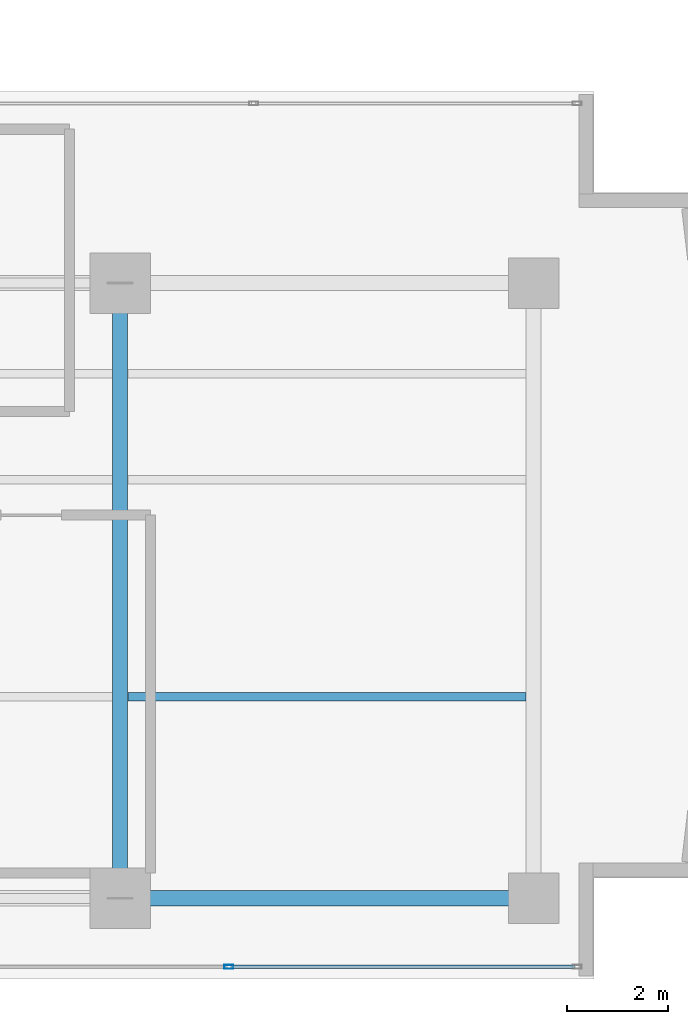
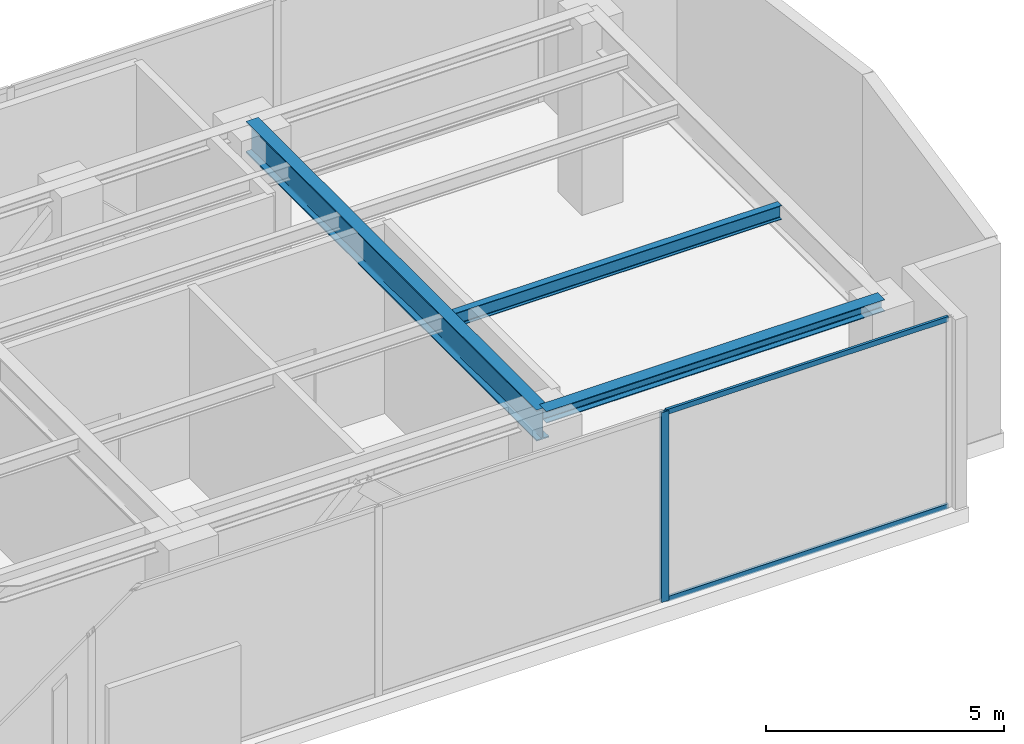
# One storey, part 17 of 36: 3 beams, 3 members, 1 element without a shape of its own.
"""IFC4 building model written with IfcOpenShell, lengths in metres."""

from ifc_helpers import new_model, si_unit, direction, frame, origin, origin_with_axes, origin_2d, place, context, subcontext, project, spatial, hollow_rectangle, i_section, extrude, source, transform, mapped, material, layer, layer_set, material_profile, profile_set, type_object, element, aggregate, save


model = new_model("IFC4")

# Units and contexts
model_context = context("Model", 3, precision=1e-05, world=origin(), true_north=direction((0.0, 1.0)))
body_context = subcontext(model_context, "Body", "Model", "MODEL_VIEW")
ifc_project = project(units=[si_unit("LENGTHUNIT", "METRE"), si_unit("AREAUNIT", "SQUARE_METRE"), si_unit("VOLUMEUNIT", "CUBIC_METRE"), si_unit("PLANEANGLEUNIT", "RADIAN"), si_unit("MASSUNIT", "GRAM", prefix="KILO")], contexts=[model_context])

# Site, building, storey
site_placement = place(None, origin())
site = spatial("IfcSite", under=ifc_project, at=site_placement, CompositionType="ELEMENT")
building_placement = place(site_placement, origin())
building = spatial("IfcBuilding", under=site, at=building_placement, Name="Kolvaren Waterfront Exchange", CompositionType="ELEMENT")
storey_placement = place(building_placement, frame((0.0, 0.0, 199.39990234375)))
storey = spatial("IfcBuildingStorey", under=building, at=storey_placement, Name="L51", CompositionType="ELEMENT", Elevation=199.39990234375)

# Beams
ifc_material_1 = material(Name="Steel S355", Category="steel")
ifc_material_profile_1 = material_profile(ifc_material_1, i_section(OverallWidth=0.300048828125, OverallDepth=0.300048828125, WebThickness=0.010986328125, FlangeThickness=0.01904296875, FilletRadius=0.027099609375, at=origin_2d()), Name="HEB300")
ifc_profile_set_1 = profile_set([ifc_material_profile_1], Name="Steel S355")
beam_type_1 = type_object("IfcBeamType", Name="STR-BM-HEB300", PredefinedType="SPANDREL", material=ifc_profile_set_1)
beam_1_placement = place(storey_placement, frame((45.60009765625, 5.199951171875, 4.710205078125), z_axis=(1.0, 0.0, 0.0), x_axis=(0.0, 1.0, 0.0)))
element("IfcBeam", 1, at=beam_1_placement, inside=storey, type_object=beam_type_1, Name="L51 east-arm spandrel S4", PredefinedType="SPANDREL", context=body_context, shape_type="SweptSolid", body=[
    extrude(i_section(OverallWidth=0.300048828125, OverallDepth=0.300048828125, WebThickness=0.010986328125, FlangeThickness=0.01904296875, FilletRadius=0.027099609375, at=origin_2d()), origin(), (0.0, 0.0, 1.0), 8.199951171875),
])
ifc_material_profile_2 = material_profile(ifc_material_1, i_section(OverallWidth=0.300048828125, OverallDepth=0.800048828125, WebThickness=0.017578125, FlangeThickness=0.032958984375, FilletRadius=0.030029296875, at=origin_2d()), Name="HEB800")
ifc_profile_set_2 = profile_set([ifc_material_profile_2], Name="Steel S355")
beam_type_2 = type_object("IfcBeamType", Name="STR-BM-HEB800", PredefinedType="BEAM", material=ifc_profile_set_2)
beam_2_placement = place(storey_placement, frame((45.60009765625, 5.199951171875, 4.460205078125), z_axis=(0.0, 1.0, 0.0), x_axis=(-1.0, 0.0, 0.0)))
element("IfcBeam", 2, at=beam_2_placement, inside=storey, type_object=beam_type_2, Name="L51 east-arm transverse girder X45", PredefinedType="BEAM", context=body_context, shape_type="SweptSolid", body=[
    extrude(i_section(OverallWidth=0.300048828125, OverallDepth=0.800048828125, WebThickness=0.017578125, FlangeThickness=0.032958984375, FilletRadius=0.030029296875, at=origin_2d()), origin(), (0.0, 0.0, 1.0), 12.199951171875),
])
ifc_material_profile_3 = material_profile(ifc_material_1, i_section(OverallWidth=0.169921875, OverallDepth=0.360107421875, WebThickness=0.008056640625, FlangeThickness=0.0126953125, FilletRadius=0.01806640625, at=origin_2d()), Name="IPE360")
ifc_profile_set_3 = profile_set([ifc_material_profile_3], Name="Steel S355")
beam_type_3 = type_object("IfcBeamType", Name="STR-BM-IPE360", PredefinedType="JOIST", material=ifc_profile_set_3)
beam_3_placement = place(storey_placement, frame((45.751953125, 9.199951171875, 4.68017578125), z_axis=(1.0, 0.0, 0.0), x_axis=(0.0, 1.0, 0.0)))
element("IfcBeam", 3, at=beam_3_placement, inside=storey, type_object=beam_type_3, Name="L51 east-arm composite joist 4B", PredefinedType="JOIST", context=body_context, shape_type="SweptSolid", body=[
    extrude(i_section(OverallWidth=0.169921875, OverallDepth=0.360107421875, WebThickness=0.008056640625, FlangeThickness=0.0126953125, FilletRadius=0.01806640625, at=origin_2d()), origin(), (0.0, 0.0, 1.0), 7.89599609375),
])

# Curtain wall, members
ifc_material_2 = material(Name="Anodised dark bronze spandrel aluminium", Category="aluminium")
ifc_layer = layer(ifc_material_2, 0.219970703125, Name="Anodised dark bronze spandrel aluminium")
ifc_layer_set = layer_set([ifc_layer], Name="Anodised dark bronze spandrel aluminium")
curtain_wall_type = type_object("IfcCurtainWallType", Name="ARC-CW-SYS6", PredefinedType="USERDEFINED", material=ifc_layer_set)
curtain_wall_placement = place(storey_placement, origin())
curtain_wall = element("IfcCurtainWall", 4, at=curtain_wall_placement, inside=storey, type_object=curtain_wall_type, Name="L51 stick curtain wall CW6 (CW-L51-S)", ObjectType="STICK CURTAIN WALL", PredefinedType="USERDEFINED")
ifc_material_3 = material(Name="Anodised bronze aluminium 6063-T6", Category="aluminium")
ifc_material_profile_4 = material_profile(ifc_material_3, hollow_rectangle(XDim=0.074951171875, YDim=0.179931640625, WallThickness=0.00439453125, at=origin_2d()), Name="ALU-MUL-180x75x4.5")
ifc_profile_set_4 = profile_set([ifc_material_profile_4], Name="Anodised bronze aluminium 6063-T6")
member_type_1 = type_object("IfcMemberType", Name="ARC-CWM-180", PredefinedType="MULLION", material=ifc_profile_set_4)
shared_shape_1 = source(origin_with_axes(), body_context, "Body", "SweptSolid", [
    extrude(hollow_rectangle(XDim=0.074951171875, YDim=0.179931640625, WallThickness=0.00439453125, at=origin_2d()), origin(), (0.0, 0.0, 1.0), 4.860107421875),
])
member_1_placement = place(storey_placement, frame((47.757080078125, 3.840087890625, 0.0), z_axis=(0.0, 0.0, 1.0), x_axis=(0.0, 1.0, 0.0)))
member_1 = element("IfcMember", 5, at=member_1_placement, type_object=member_type_1, Name="CW6 mullion 7", PredefinedType="MULLION", context=body_context, shape_type="MappedRepresentation", body=[
    mapped(shared_shape_1, transform((0.0, 0.0, 0.0), x_axis=(1.0, 0.0, 0.0), y_axis=(0.0, 1.0, 0.0), z_axis=(0.0, 0.0, 1.0), scale=1.0)),
])
ifc_material_profile_5 = material_profile(ifc_material_3, hollow_rectangle(XDim=0.06494140625, YDim=0.1298828125, WallThickness=0.00390625, at=origin_2d()), Name="ALU-TRN-130x65x4")
ifc_profile_set_5 = profile_set([ifc_material_profile_5], Name="Anodised bronze aluminium 6063-T6")
member_type_2 = type_object("IfcMemberType", Name="ARC-CWT-130", PredefinedType="USERDEFINED", material=ifc_profile_set_5)
shared_shape_2 = source(origin_with_axes(), body_context, "Body", "SweptSolid", [
    extrude(hollow_rectangle(XDim=0.06494140625, YDim=0.1298828125, WallThickness=0.00390625, at=origin_2d()), origin(), (0.0, 0.0, 1.0), 6.830322265625),
])
member_2_placement = place(storey_placement, frame((47.794677734375, 3.840087890625, 0.03271484375), z_axis=(1.0, 0.0, 0.0), x_axis=(0.0, 1.0, 0.0)))
member_2 = element("IfcMember", 6, at=member_2_placement, type_object=member_type_2, Name="CW6 transom 7.1", ObjectType="TRANSOM", PredefinedType="USERDEFINED", context=body_context, shape_type="MappedRepresentation", body=[
    mapped(shared_shape_2, transform((0.0, 0.0, 0.0), x_axis=(1.0, 0.0, 0.0), y_axis=(0.0, 1.0, 0.0), z_axis=(0.0, 0.0, 1.0), scale=1.0)),
])
member_3_placement = place(storey_placement, frame((47.794677734375, 3.840087890625, 4.82763671875), z_axis=(1.0, 0.0, 0.0), x_axis=(0.0, 1.0, 0.0)))
member_3 = element("IfcMember", 7, at=member_3_placement, type_object=member_type_2, Name="CW6 transom 7.2", ObjectType="TRANSOM", PredefinedType="USERDEFINED", context=body_context, shape_type="MappedRepresentation", body=[
    mapped(shared_shape_2, transform((0.0, 0.0, 0.0), x_axis=(1.0, 0.0, 0.0), y_axis=(0.0, 1.0, 0.0), z_axis=(0.0, 0.0, 1.0), scale=1.0)),
])
aggregate(curtain_wall, [member_1, member_2, member_3])

save(model, "model.ifc")
